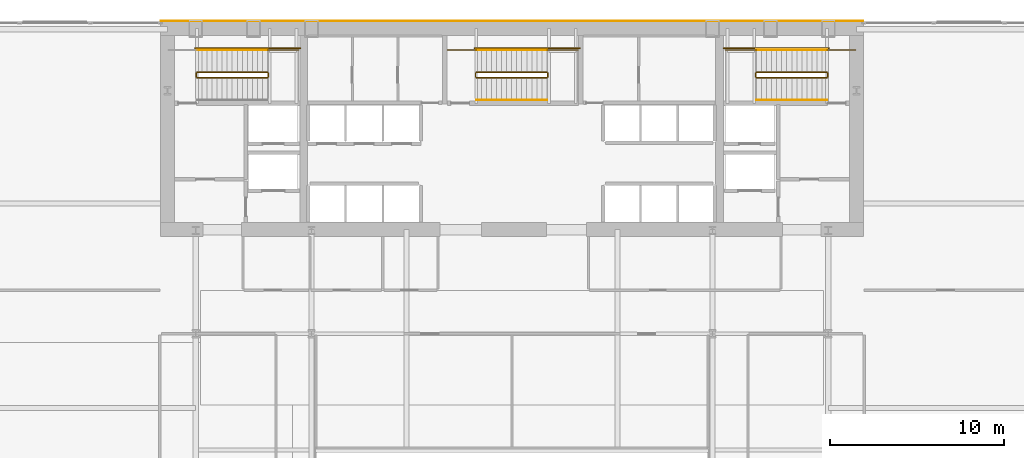
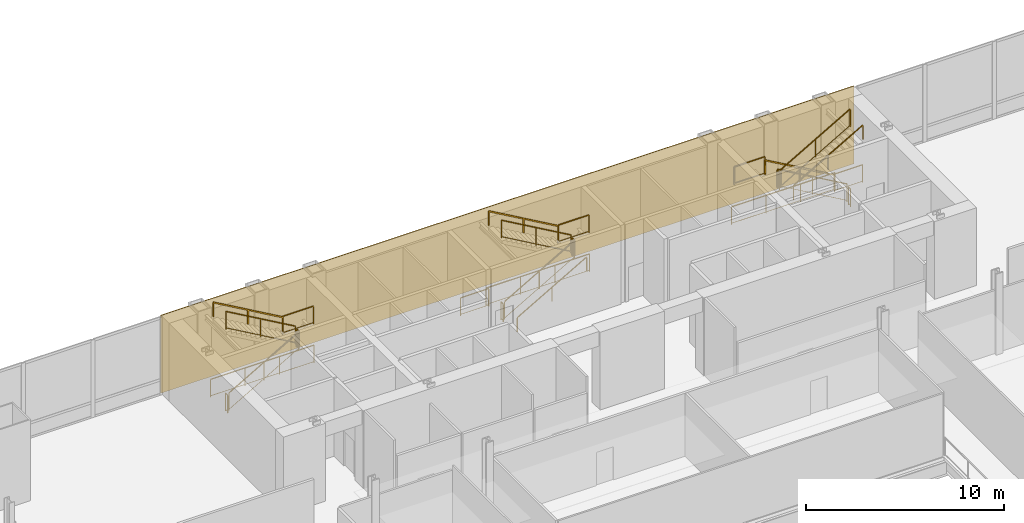
# One storey, part 24 of 25: 25 railings, 1 covering.
"""IFC4 building model written with IfcOpenShell, lengths in metres."""

from ifc_helpers import new_model, si_unit, direction, frame, origin, origin_2d, place, context, subcontext, project, spatial, polyline, rectangle, outline, extrude, material, layer, layer_set, type_object, element, save


model = new_model("IFC4")

# Units and contexts
model_context = context("Model", 3, precision=1e-05, world=origin(), true_north=direction((0.0, 1.0)))
body_context = subcontext(model_context, "Body", "Model", "MODEL_VIEW")
ifc_project = project(units=[si_unit("LENGTHUNIT", "METRE"), si_unit("AREAUNIT", "SQUARE_METRE"), si_unit("VOLUMEUNIT", "CUBIC_METRE"), si_unit("PLANEANGLEUNIT", "RADIAN"), si_unit("MASSUNIT", "GRAM", prefix="KILO")], contexts=[model_context])

# Site, building, storey
site_placement = place(None, origin())
site = spatial("IfcSite", under=ifc_project, at=site_placement, CompositionType="ELEMENT")
building_placement = place(site_placement, origin())
building = spatial("IfcBuilding", under=site, at=building_placement, Name="Khoronbel Lancet Exchange", CompositionType="ELEMENT")
storey_placement = place(building_placement, frame((0.0, 0.0, 10.39990234375)))
storey = spatial("IfcBuildingStorey", under=building, at=storey_placement, Name="L02", CompositionType="ELEMENT", Elevation=10.39990234375)

# Covering
ifc_material_1 = material(Name="Honed Egyptian Limestone & Bronze Rainscreen", Category="masonry")
ifc_layer = layer(ifc_material_1, 0.050048828125, Name="Honed Egyptian Limestone & Bronze Rainscreen")
ifc_layer_set = layer_set([ifc_layer], Name="Honed Egyptian Limestone & Bronze Rainscreen")
covering_type = type_object("IfcCoveringType", Name="COV-CLAD1", PredefinedType="CLADDING", material=ifc_layer_set)
covering_placement = place(storey_placement, origin())
element("IfcCovering", 1, at=covering_placement, inside=storey, type_object=covering_type, Name="Level L02 north rear-core stone and bronze rainscreen cladding", PredefinedType="CLADDING", context=body_context, shape_type="SweptSolid", body=[
    extrude(outline(polyline([(16.199951171875, 53.699951171875), (56.699951171875, 53.699951171875), (56.699951171875, 53.75), (16.199951171875, 53.75), (16.199951171875, 53.699951171875)])), origin(), (0.0, 0.0, 1.0), 4.800048828125),
])

# Railings
ifc_material_2 = material(Name="Painted Steel Balustrade", Category="steel")
railing_type_1 = type_object("IfcRailingType", Name="RL-STG110", PredefinedType="GUARDRAIL", material=ifc_material_2)
railing_1_placement = place(storey_placement, frame((18.300048828125, 50.449951171875, 0.166748046875)))
element("IfcRailing", 2, at=railing_1_placement, inside=storey, type_object=railing_type_1, Name="L02 ST1 stair guard 1", PredefinedType="GUARDRAIL", context=body_context, shape_type="SweptSolid", body=[
    extrude(rectangle(XDim=0.048095703125, YDim=0.048095703125, at=origin_2d()), frame((0.0, 0.0, 1.09619140625), z_axis=(0.867024558463, 0.0, 0.498265406207), x_axis=(0.0, 1.0, 0.0)), (0.0, 0.0, 1.0), 4.682861328125),
    extrude(rectangle(XDim=0.02392578125, YDim=0.02392578125, at=origin_2d()), frame((0.0, 0.0, 0.080078125), z_axis=(0.867024558463, 0.0, 0.498265406207), x_axis=(0.0, 1.0, 0.0)), (0.0, 0.0, 1.0), 4.682861328125),
    extrude(rectangle(XDim=0.0419921875, YDim=0.0419921875, at=origin_2d()), origin(), (0.0, 0.0, 1.0), 1.072021484375),
    extrude(rectangle(XDim=0.0419921875, YDim=0.0419921875, at=origin_2d()), frame((2.030029296875, 0.0, 1.16650390625)), (0.0, 0.0, 1.0), 1.072021484375),
    extrude(rectangle(XDim=0.0419921875, YDim=0.0419921875, at=origin_2d()), frame((4.06005859375, 0.0, 2.333251953125)), (0.0, 0.0, 1.0), 1.072021484375),
])
railing_2_placement = place(storey_placement, frame((22.409912109375, 50.5, 2.5)))
element("IfcRailing", 3, at=railing_2_placement, inside=storey, type_object=railing_type_1, Name="L02 ST1 stair guard 2", PredefinedType="GUARDRAIL", context=body_context, shape_type="SweptSolid", body=[
    extrude(rectangle(XDim=0.048095703125, YDim=0.048095703125, at=origin_2d()), frame((0.0, 0.0, 1.09619140625), z_axis=(0.0, 1.0, 0.0), x_axis=(-1.0, 0.0, 0.0)), (0.0, 0.0, 1.0), 0.219970703125),
    extrude(rectangle(XDim=0.02392578125, YDim=0.02392578125, at=origin_2d()), frame((0.0, 0.0, 0.080078125), z_axis=(0.0, 1.0, 0.0), x_axis=(-1.0, 0.0, 0.0)), (0.0, 0.0, 1.0), 0.219970703125),
    extrude(rectangle(XDim=0.0419921875, YDim=0.0419921875, at=origin_2d()), origin(), (0.0, 0.0, 1.0), 1.072021484375),
    extrude(rectangle(XDim=0.0419921875, YDim=0.0419921875, at=origin_2d()), frame((0.0, 0.219970703125, 0.0)), (0.0, 0.0, 1.0), 1.072021484375),
])
railing_3_placement = place(storey_placement, frame((22.360107421875, 52.050048828125, 2.5)))
element("IfcRailing", 4, at=railing_3_placement, inside=storey, type_object=railing_type_1, Name="L02 ST1 stair guard 3", PredefinedType="GUARDRAIL", context=body_context, shape_type="SweptSolid", body=[
    extrude(rectangle(XDim=0.048095703125, YDim=0.048095703125, at=origin_2d()), frame((0.0, 0.0, 1.09619140625), z_axis=(1.0, 0.0, 0.0), x_axis=(0.0, 1.0, 0.0)), (0.0, 0.0, 1.0), 1.789794921875),
    extrude(rectangle(XDim=0.02392578125, YDim=0.02392578125, at=origin_2d()), frame((0.0, 0.0, 0.080078125), z_axis=(1.0, 0.0, 0.0), x_axis=(0.0, 1.0, 0.0)), (0.0, 0.0, 1.0), 1.789794921875),
    extrude(rectangle(XDim=0.0419921875, YDim=0.0419921875, at=origin_2d()), origin(), (0.0, 0.0, 1.0), 1.072021484375),
    extrude(rectangle(XDim=0.0419921875, YDim=0.0419921875, at=origin_2d()), frame((1.789794921875, 0.0, 0.0)), (0.0, 0.0, 1.0), 1.072021484375),
])
railing_4_placement = place(storey_placement, frame((22.360107421875, 50.77001953125, 2.666748046875)))
element("IfcRailing", 5, at=railing_4_placement, inside=storey, type_object=railing_type_1, Name="L02 ST1 stair guard 4", PredefinedType="GUARDRAIL", context=body_context, shape_type="SweptSolid", body=[
    extrude(rectangle(XDim=0.048095703125, YDim=0.048095703125, at=origin_2d()), frame((0.0, 0.0, 1.09619140625), z_axis=(-0.867024558463, 0.0, 0.498265406207), x_axis=(0.0, -1.0, 0.0)), (0.0, 0.0, 1.0), 4.682861328125),
    extrude(rectangle(XDim=0.02392578125, YDim=0.02392578125, at=origin_2d()), frame((0.0, 0.0, 0.080078125), z_axis=(-0.867024558463, 0.0, 0.498265406207), x_axis=(0.0, -1.0, 0.0)), (0.0, 0.0, 1.0), 4.682861328125),
    extrude(rectangle(XDim=0.0419921875, YDim=0.0419921875, at=origin_2d()), origin(), (0.0, 0.0, 1.0), 1.072021484375),
    extrude(rectangle(XDim=0.0419921875, YDim=0.0419921875, at=origin_2d()), frame((-2.030029296875, 0.0, 1.16650390625)), (0.0, 0.0, 1.0), 1.072021484375),
    extrude(rectangle(XDim=0.0419921875, YDim=0.0419921875, at=origin_2d()), frame((-4.06005859375, 0.0, 2.333251953125)), (0.0, 0.0, 1.0), 1.072021484375),
])
railing_5_placement = place(storey_placement, frame((18.25, 50.5, 0.0)))
element("IfcRailing", 6, at=railing_5_placement, inside=storey, type_object=railing_type_1, Name="L02 ST1 stair guard 5", PredefinedType="GUARDRAIL", context=body_context, shape_type="SweptSolid", body=[
    extrude(rectangle(XDim=0.048095703125, YDim=0.048095703125, at=origin_2d()), frame((0.0, 0.0, 1.09619140625), z_axis=(0.0, 1.0, 0.0), x_axis=(-1.0, 0.0, 0.0)), (0.0, 0.0, 1.0), 0.219970703125),
    extrude(rectangle(XDim=0.02392578125, YDim=0.02392578125, at=origin_2d()), frame((0.0, 0.0, 0.080078125), z_axis=(0.0, 1.0, 0.0), x_axis=(-1.0, 0.0, 0.0)), (0.0, 0.0, 1.0), 0.219970703125),
    extrude(rectangle(XDim=0.0419921875, YDim=0.0419921875, at=origin_2d()), origin(), (0.0, 0.0, 1.0), 1.072021484375),
    extrude(rectangle(XDim=0.0419921875, YDim=0.0419921875, at=origin_2d()), frame((0.0, 0.219970703125, 0.0)), (0.0, 0.0, 1.0), 1.072021484375),
])
railing_6_placement = place(storey_placement, frame((18.199951171875, 52.14990234375, 0.0)))
element("IfcRailing", 7, at=railing_6_placement, inside=storey, type_object=railing_type_1, Name="L02 ST1 stair guard 7", PredefinedType="GUARDRAIL", context=body_context, shape_type="SweptSolid", body=[
    extrude(rectangle(XDim=0.048095703125, YDim=0.048095703125, at=origin_2d()), frame((0.0, 0.0, 1.09619140625), z_axis=(1.0, 0.0, 0.0), x_axis=(0.0, 1.0, 0.0)), (0.0, 0.0, 1.0), 6.050048828125),
    extrude(rectangle(XDim=0.02392578125, YDim=0.02392578125, at=origin_2d()), frame((0.0, 0.0, 0.080078125), z_axis=(1.0, 0.0, 0.0), x_axis=(0.0, 1.0, 0.0)), (0.0, 0.0, 1.0), 6.050048828125),
    extrude(rectangle(XDim=0.0419921875, YDim=0.0419921875, at=origin_2d()), origin(), (0.0, 0.0, 1.0), 1.072021484375),
    extrude(rectangle(XDim=0.0419921875, YDim=0.0419921875, at=origin_2d()), frame((2.0166015625, 0.0, 0.0)), (0.0, 0.0, 1.0), 1.072021484375),
    extrude(rectangle(XDim=0.0419921875, YDim=0.0419921875, at=origin_2d()), frame((4.033447265625, 0.0, 0.0)), (0.0, 0.0, 1.0), 1.072021484375),
    extrude(rectangle(XDim=0.0419921875, YDim=0.0419921875, at=origin_2d()), frame((6.050048828125, 0.0, 0.0)), (0.0, 0.0, 1.0), 1.072021484375),
])
railing_7_placement = place(storey_placement, frame((54.60009765625, 50.77001953125, 0.166748046875)))
element("IfcRailing", 8, at=railing_7_placement, inside=storey, type_object=railing_type_1, Name="L02 ST2 stair guard 1", PredefinedType="GUARDRAIL", context=body_context, shape_type="SweptSolid", body=[
    extrude(rectangle(XDim=0.048095703125, YDim=0.048095703125, at=origin_2d()), frame((0.0, 0.0, 1.09619140625), z_axis=(-0.867024558463, 0.0, 0.498265406207), x_axis=(0.0, -1.0, 0.0)), (0.0, 0.0, 1.0), 4.682861328125),
    extrude(rectangle(XDim=0.02392578125, YDim=0.02392578125, at=origin_2d()), frame((0.0, 0.0, 0.080078125), z_axis=(-0.867024558463, 0.0, 0.498265406207), x_axis=(0.0, -1.0, 0.0)), (0.0, 0.0, 1.0), 4.682861328125),
    extrude(rectangle(XDim=0.0419921875, YDim=0.0419921875, at=origin_2d()), origin(), (0.0, 0.0, 1.0), 1.072021484375),
    extrude(rectangle(XDim=0.0419921875, YDim=0.0419921875, at=origin_2d()), frame((-2.030029296875, 0.0, 1.16650390625)), (0.0, 0.0, 1.0), 1.072021484375),
    extrude(rectangle(XDim=0.0419921875, YDim=0.0419921875, at=origin_2d()), frame((-4.06005859375, 0.0, 2.333251953125)), (0.0, 0.0, 1.0), 1.072021484375),
])
railing_8_placement = place(storey_placement, frame((50.489990234375, 50.719970703125, 2.5)))
element("IfcRailing", 9, at=railing_8_placement, inside=storey, type_object=railing_type_1, Name="L02 ST2 stair guard 2", PredefinedType="GUARDRAIL", context=body_context, shape_type="SweptSolid", body=[
    extrude(rectangle(XDim=0.048095703125, YDim=0.048095703125, at=origin_2d()), frame((0.0, 0.0, 1.09619140625), z_axis=(0.0, -1.0, 0.0), x_axis=(1.0, 0.0, 0.0)), (0.0, 0.0, 1.0), 0.219970703125),
    extrude(rectangle(XDim=0.02392578125, YDim=0.02392578125, at=origin_2d()), frame((0.0, 0.0, 0.080078125), z_axis=(0.0, -1.0, 0.0), x_axis=(1.0, 0.0, 0.0)), (0.0, 0.0, 1.0), 0.219970703125),
    extrude(rectangle(XDim=0.0419921875, YDim=0.0419921875, at=origin_2d()), origin(), (0.0, 0.0, 1.0), 1.072021484375),
    extrude(rectangle(XDim=0.0419921875, YDim=0.0419921875, at=origin_2d()), frame((0.0, -0.219970703125, 0.0)), (0.0, 0.0, 1.0), 1.072021484375),
])
railing_9_placement = place(storey_placement, frame((50.5400390625, 52.050048828125, 2.5)))
element("IfcRailing", 10, at=railing_9_placement, inside=storey, type_object=railing_type_1, Name="L02 ST2 stair guard 3", PredefinedType="GUARDRAIL", context=body_context, shape_type="SweptSolid", body=[
    extrude(rectangle(XDim=0.048095703125, YDim=0.048095703125, at=origin_2d()), frame((0.0, 0.0, 1.09619140625), z_axis=(-1.0, 0.0, 0.0), x_axis=(0.0, -1.0, 0.0)), (0.0, 0.0, 1.0), 1.7900390625),
    extrude(rectangle(XDim=0.02392578125, YDim=0.02392578125, at=origin_2d()), frame((0.0, 0.0, 0.080078125), z_axis=(-1.0, 0.0, 0.0), x_axis=(0.0, -1.0, 0.0)), (0.0, 0.0, 1.0), 1.7900390625),
    extrude(rectangle(XDim=0.0419921875, YDim=0.0419921875, at=origin_2d()), origin(), (0.0, 0.0, 1.0), 1.072021484375),
    extrude(rectangle(XDim=0.0419921875, YDim=0.0419921875, at=origin_2d()), frame((-1.7900390625, 0.0, 0.0)), (0.0, 0.0, 1.0), 1.072021484375),
])
railing_10_placement = place(storey_placement, frame((50.5400390625, 50.449951171875, 2.666748046875)))
element("IfcRailing", 11, at=railing_10_placement, inside=storey, type_object=railing_type_1, Name="L02 ST2 stair guard 4", PredefinedType="GUARDRAIL", context=body_context, shape_type="SweptSolid", body=[
    extrude(rectangle(XDim=0.048095703125, YDim=0.048095703125, at=origin_2d()), frame((0.0, 0.0, 1.09619140625), z_axis=(0.867024558463, 0.0, 0.498265406207), x_axis=(0.0, 1.0, 0.0)), (0.0, 0.0, 1.0), 4.682861328125),
    extrude(rectangle(XDim=0.02392578125, YDim=0.02392578125, at=origin_2d()), frame((0.0, 0.0, 0.080078125), z_axis=(0.867024558463, 0.0, 0.498265406207), x_axis=(0.0, 1.0, 0.0)), (0.0, 0.0, 1.0), 4.682861328125),
    extrude(rectangle(XDim=0.0419921875, YDim=0.0419921875, at=origin_2d()), origin(), (0.0, 0.0, 1.0), 1.072021484375),
    extrude(rectangle(XDim=0.0419921875, YDim=0.0419921875, at=origin_2d()), frame((2.030029296875, 0.0, 1.16650390625)), (0.0, 0.0, 1.0), 1.072021484375),
    extrude(rectangle(XDim=0.0419921875, YDim=0.0419921875, at=origin_2d()), frame((4.06005859375, 0.0, 2.333251953125)), (0.0, 0.0, 1.0), 1.072021484375),
])
railing_11_placement = place(storey_placement, frame((54.64990234375, 50.719970703125, 0.0)))
element("IfcRailing", 12, at=railing_11_placement, inside=storey, type_object=railing_type_1, Name="L02 ST2 stair guard 5", PredefinedType="GUARDRAIL", context=body_context, shape_type="SweptSolid", body=[
    extrude(rectangle(XDim=0.048095703125, YDim=0.048095703125, at=origin_2d()), frame((0.0, 0.0, 1.09619140625), z_axis=(0.0, -1.0, 0.0), x_axis=(1.0, 0.0, 0.0)), (0.0, 0.0, 1.0), 0.219970703125),
    extrude(rectangle(XDim=0.02392578125, YDim=0.02392578125, at=origin_2d()), frame((0.0, 0.0, 0.080078125), z_axis=(0.0, -1.0, 0.0), x_axis=(1.0, 0.0, 0.0)), (0.0, 0.0, 1.0), 0.219970703125),
    extrude(rectangle(XDim=0.0419921875, YDim=0.0419921875, at=origin_2d()), origin(), (0.0, 0.0, 1.0), 1.072021484375),
    extrude(rectangle(XDim=0.0419921875, YDim=0.0419921875, at=origin_2d()), frame((0.0, -0.219970703125, 0.0)), (0.0, 0.0, 1.0), 1.072021484375),
])
railing_12_placement = place(storey_placement, frame((56.25, 52.050048828125, 0.0)))
element("IfcRailing", 13, at=railing_12_placement, inside=storey, type_object=railing_type_1, Name="L02 ST2 stair guard 6", PredefinedType="GUARDRAIL", context=body_context, shape_type="SweptSolid", body=[
    extrude(rectangle(XDim=0.048095703125, YDim=0.048095703125, at=origin_2d()), frame((0.0, 0.0, 1.09619140625), z_axis=(-1.0, 0.0, 0.0), x_axis=(0.0, -1.0, 0.0)), (0.0, 0.0, 1.0), 1.64990234375),
    extrude(rectangle(XDim=0.02392578125, YDim=0.02392578125, at=origin_2d()), frame((0.0, 0.0, 0.080078125), z_axis=(-1.0, 0.0, 0.0), x_axis=(0.0, -1.0, 0.0)), (0.0, 0.0, 1.0), 1.64990234375),
    extrude(rectangle(XDim=0.0419921875, YDim=0.0419921875, at=origin_2d()), origin(), (0.0, 0.0, 1.0), 1.072021484375),
    extrude(rectangle(XDim=0.0419921875, YDim=0.0419921875, at=origin_2d()), frame((-1.64990234375, 0.0, 0.0)), (0.0, 0.0, 1.0), 1.072021484375),
])
railing_13_placement = place(storey_placement, frame((54.699951171875, 52.14990234375, 0.0)))
element("IfcRailing", 14, at=railing_13_placement, inside=storey, type_object=railing_type_1, Name="L02 ST2 stair guard 7", PredefinedType="GUARDRAIL", context=body_context, shape_type="SweptSolid", body=[
    extrude(rectangle(XDim=0.048095703125, YDim=0.048095703125, at=origin_2d()), frame((0.0, 0.0, 1.09619140625), z_axis=(-1.0, 0.0, 0.0), x_axis=(0.0, -1.0, 0.0)), (0.0, 0.0, 1.0), 6.050048828125),
    extrude(rectangle(XDim=0.02392578125, YDim=0.02392578125, at=origin_2d()), frame((0.0, 0.0, 0.080078125), z_axis=(-1.0, 0.0, 0.0), x_axis=(0.0, -1.0, 0.0)), (0.0, 0.0, 1.0), 6.050048828125),
    extrude(rectangle(XDim=0.0419921875, YDim=0.0419921875, at=origin_2d()), origin(), (0.0, 0.0, 1.0), 1.072021484375),
    extrude(rectangle(XDim=0.0419921875, YDim=0.0419921875, at=origin_2d()), frame((-2.0166015625, 0.0, 0.0)), (0.0, 0.0, 1.0), 1.072021484375),
    extrude(rectangle(XDim=0.0419921875, YDim=0.0419921875, at=origin_2d()), frame((-4.033447265625, 0.0, 0.0)), (0.0, 0.0, 1.0), 1.072021484375),
    extrude(rectangle(XDim=0.0419921875, YDim=0.0419921875, at=origin_2d()), frame((-6.050048828125, 0.0, 0.0)), (0.0, 0.0, 1.0), 1.072021484375),
])
railing_14_placement = place(storey_placement, frame((34.39990234375, 50.449951171875, 0.166748046875)))
element("IfcRailing", 15, at=railing_14_placement, inside=storey, type_object=railing_type_1, Name="L02 ST3 stair guard 1", PredefinedType="GUARDRAIL", context=body_context, shape_type="SweptSolid", body=[
    extrude(rectangle(XDim=0.048095703125, YDim=0.048095703125, at=origin_2d()), frame((0.0, 0.0, 1.09619140625), z_axis=(0.867024558463, 0.0, 0.498265406207), x_axis=(0.0, 1.0, 0.0)), (0.0, 0.0, 1.0), 4.682861328125),
    extrude(rectangle(XDim=0.02392578125, YDim=0.02392578125, at=origin_2d()), frame((0.0, 0.0, 0.080078125), z_axis=(0.867024558463, 0.0, 0.498265406207), x_axis=(0.0, 1.0, 0.0)), (0.0, 0.0, 1.0), 4.682861328125),
    extrude(rectangle(XDim=0.0419921875, YDim=0.0419921875, at=origin_2d()), origin(), (0.0, 0.0, 1.0), 1.072021484375),
    extrude(rectangle(XDim=0.0419921875, YDim=0.0419921875, at=origin_2d()), frame((2.030029296875, 0.0, 1.16650390625)), (0.0, 0.0, 1.0), 1.072021484375),
    extrude(rectangle(XDim=0.0419921875, YDim=0.0419921875, at=origin_2d()), frame((4.06005859375, 0.0, 2.333251953125)), (0.0, 0.0, 1.0), 1.072021484375),
])
railing_15_placement = place(storey_placement, frame((38.510009765625, 50.5, 2.5)))
element("IfcRailing", 16, at=railing_15_placement, inside=storey, type_object=railing_type_1, Name="L02 ST3 stair guard 2", PredefinedType="GUARDRAIL", context=body_context, shape_type="SweptSolid", body=[
    extrude(rectangle(XDim=0.048095703125, YDim=0.048095703125, at=origin_2d()), frame((0.0, 0.0, 1.09619140625), z_axis=(0.0, 1.0, 0.0), x_axis=(-1.0, 0.0, 0.0)), (0.0, 0.0, 1.0), 0.219970703125),
    extrude(rectangle(XDim=0.02392578125, YDim=0.02392578125, at=origin_2d()), frame((0.0, 0.0, 0.080078125), z_axis=(0.0, 1.0, 0.0), x_axis=(-1.0, 0.0, 0.0)), (0.0, 0.0, 1.0), 0.219970703125),
    extrude(rectangle(XDim=0.0419921875, YDim=0.0419921875, at=origin_2d()), origin(), (0.0, 0.0, 1.0), 1.072021484375),
    extrude(rectangle(XDim=0.0419921875, YDim=0.0419921875, at=origin_2d()), frame((0.0, 0.219970703125, 0.0)), (0.0, 0.0, 1.0), 1.072021484375),
])
railing_16_placement = place(storey_placement, frame((38.4599609375, 52.050048828125, 2.5)))
element("IfcRailing", 17, at=railing_16_placement, inside=storey, type_object=railing_type_1, Name="L02 ST3 stair guard 3", PredefinedType="GUARDRAIL", context=body_context, shape_type="SweptSolid", body=[
    extrude(rectangle(XDim=0.048095703125, YDim=0.048095703125, at=origin_2d()), frame((0.0, 0.0, 1.09619140625), z_axis=(1.0, 0.0, 0.0), x_axis=(0.0, 1.0, 0.0)), (0.0, 0.0, 1.0), 1.7900390625),
    extrude(rectangle(XDim=0.02392578125, YDim=0.02392578125, at=origin_2d()), frame((0.0, 0.0, 0.080078125), z_axis=(1.0, 0.0, 0.0), x_axis=(0.0, 1.0, 0.0)), (0.0, 0.0, 1.0), 1.7900390625),
    extrude(rectangle(XDim=0.0419921875, YDim=0.0419921875, at=origin_2d()), origin(), (0.0, 0.0, 1.0), 1.072021484375),
    extrude(rectangle(XDim=0.0419921875, YDim=0.0419921875, at=origin_2d()), frame((1.7900390625, 0.0, 0.0)), (0.0, 0.0, 1.0), 1.072021484375),
])
railing_17_placement = place(storey_placement, frame((38.4599609375, 50.77001953125, 2.666748046875)))
element("IfcRailing", 18, at=railing_17_placement, inside=storey, type_object=railing_type_1, Name="L02 ST3 stair guard 4", PredefinedType="GUARDRAIL", context=body_context, shape_type="SweptSolid", body=[
    extrude(rectangle(XDim=0.048095703125, YDim=0.048095703125, at=origin_2d()), frame((0.0, 0.0, 1.09619140625), z_axis=(-0.867024558463, 0.0, 0.498265406207), x_axis=(0.0, -1.0, 0.0)), (0.0, 0.0, 1.0), 4.682861328125),
    extrude(rectangle(XDim=0.02392578125, YDim=0.02392578125, at=origin_2d()), frame((0.0, 0.0, 0.080078125), z_axis=(-0.867024558463, 0.0, 0.498265406207), x_axis=(0.0, -1.0, 0.0)), (0.0, 0.0, 1.0), 4.682861328125),
    extrude(rectangle(XDim=0.0419921875, YDim=0.0419921875, at=origin_2d()), origin(), (0.0, 0.0, 1.0), 1.072021484375),
    extrude(rectangle(XDim=0.0419921875, YDim=0.0419921875, at=origin_2d()), frame((-2.030029296875, 0.0, 1.16650390625)), (0.0, 0.0, 1.0), 1.072021484375),
    extrude(rectangle(XDim=0.0419921875, YDim=0.0419921875, at=origin_2d()), frame((-4.06005859375, 0.0, 2.333251953125)), (0.0, 0.0, 1.0), 1.072021484375),
])
railing_18_placement = place(storey_placement, frame((34.35009765625, 50.5, 0.0)))
element("IfcRailing", 19, at=railing_18_placement, inside=storey, type_object=railing_type_1, Name="L02 ST3 stair guard 5", PredefinedType="GUARDRAIL", context=body_context, shape_type="SweptSolid", body=[
    extrude(rectangle(XDim=0.048095703125, YDim=0.048095703125, at=origin_2d()), frame((0.0, 0.0, 1.09619140625), z_axis=(0.0, 1.0, 0.0), x_axis=(-1.0, 0.0, 0.0)), (0.0, 0.0, 1.0), 0.219970703125),
    extrude(rectangle(XDim=0.02392578125, YDim=0.02392578125, at=origin_2d()), frame((0.0, 0.0, 0.080078125), z_axis=(0.0, 1.0, 0.0), x_axis=(-1.0, 0.0, 0.0)), (0.0, 0.0, 1.0), 0.219970703125),
    extrude(rectangle(XDim=0.0419921875, YDim=0.0419921875, at=origin_2d()), origin(), (0.0, 0.0, 1.0), 1.072021484375),
    extrude(rectangle(XDim=0.0419921875, YDim=0.0419921875, at=origin_2d()), frame((0.0, 0.219970703125, 0.0)), (0.0, 0.0, 1.0), 1.072021484375),
])
railing_19_placement = place(storey_placement, frame((32.75, 52.050048828125, 0.0)))
element("IfcRailing", 20, at=railing_19_placement, inside=storey, type_object=railing_type_1, Name="L02 ST3 stair guard 6", PredefinedType="GUARDRAIL", context=body_context, shape_type="SweptSolid", body=[
    extrude(rectangle(XDim=0.048095703125, YDim=0.048095703125, at=origin_2d()), frame((0.0, 0.0, 1.09619140625), z_axis=(1.0, 0.0, 0.0), x_axis=(0.0, 1.0, 0.0)), (0.0, 0.0, 1.0), 1.64990234375),
    extrude(rectangle(XDim=0.02392578125, YDim=0.02392578125, at=origin_2d()), frame((0.0, 0.0, 0.080078125), z_axis=(1.0, 0.0, 0.0), x_axis=(0.0, 1.0, 0.0)), (0.0, 0.0, 1.0), 1.64990234375),
    extrude(rectangle(XDim=0.0419921875, YDim=0.0419921875, at=origin_2d()), origin(), (0.0, 0.0, 1.0), 1.072021484375),
    extrude(rectangle(XDim=0.0419921875, YDim=0.0419921875, at=origin_2d()), frame((1.64990234375, 0.0, 0.0)), (0.0, 0.0, 1.0), 1.072021484375),
])
railing_20_placement = place(storey_placement, frame((34.300048828125, 52.14990234375, 0.0)))
element("IfcRailing", 21, at=railing_20_placement, inside=storey, type_object=railing_type_1, Name="L02 ST3 stair guard 7", PredefinedType="GUARDRAIL", context=body_context, shape_type="SweptSolid", body=[
    extrude(rectangle(XDim=0.048095703125, YDim=0.048095703125, at=origin_2d()), frame((0.0, 0.0, 1.09619140625), z_axis=(1.0, 0.0, 0.0), x_axis=(0.0, 1.0, 0.0)), (0.0, 0.0, 1.0), 6.050048828125),
    extrude(rectangle(XDim=0.02392578125, YDim=0.02392578125, at=origin_2d()), frame((0.0, 0.0, 0.080078125), z_axis=(1.0, 0.0, 0.0), x_axis=(0.0, 1.0, 0.0)), (0.0, 0.0, 1.0), 6.050048828125),
    extrude(rectangle(XDim=0.0419921875, YDim=0.0419921875, at=origin_2d()), origin(), (0.0, 0.0, 1.0), 1.072021484375),
    extrude(rectangle(XDim=0.0419921875, YDim=0.0419921875, at=origin_2d()), frame((2.0166015625, 0.0, 0.0)), (0.0, 0.0, 1.0), 1.072021484375),
    extrude(rectangle(XDim=0.0419921875, YDim=0.0419921875, at=origin_2d()), frame((4.033447265625, 0.0, 0.0)), (0.0, 0.0, 1.0), 1.072021484375),
    extrude(rectangle(XDim=0.0419921875, YDim=0.0419921875, at=origin_2d()), frame((6.050048828125, 0.0, 0.0)), (0.0, 0.0, 1.0), 1.072021484375),
])
ifc_material_3 = material(Name="Brushed Stainless Steel 316", Category="steel")
railing_type_2 = type_object("IfcRailingType", Name="RL-STH92", PredefinedType="HANDRAIL", material=ifc_material_3)
for number, where, name in (
    (22, (22.360107421875, 52.050048828125, 2.666748046875), "L02 ST1 stair handrail 2"),
    (23, (54.60009765625, 52.050048828125, 0.166748046875), "L02 ST2 stair handrail 1"),
):
    element("IfcRailing", number, at=place(storey_placement, frame(where)), inside=storey, type_object=railing_type_2, Name=name, PredefinedType="HANDRAIL", context=body_context, shape_type="SweptSolid", body=[
        extrude(rectangle(XDim=0.048095703125, YDim=0.048095703125, at=origin_2d()), frame((0.0, 0.0, 0.8759765625), z_axis=(-0.867024558463, 0.0, 0.498265406207), x_axis=(0.0, -1.0, 0.0)), (0.0, 0.0, 1.0), 4.682861328125),
        extrude(rectangle(XDim=0.0419921875, YDim=0.0419921875, at=origin_2d()), origin(), (0.0, 0.0, 1.0), 0.851806640625),
        extrude(rectangle(XDim=0.0419921875, YDim=0.0419921875, at=origin_2d()), frame((-2.030029296875, 0.0, 1.16650390625)), (0.0, 0.0, 1.0), 0.851806640625),
        extrude(rectangle(XDim=0.0419921875, YDim=0.0419921875, at=origin_2d()), frame((-4.06005859375, 0.0, 2.333251953125)), (0.0, 0.0, 1.0), 0.851806640625),
    ])
for number, where, name in (
    (24, (50.5400390625, 49.169921875, 2.666748046875), "L02 ST2 stair handrail 2"),
    (25, (34.39990234375, 49.169921875, 0.166748046875), "L02 ST3 stair handrail 1"),
):
    element("IfcRailing", number, at=place(storey_placement, frame(where)), inside=storey, type_object=railing_type_2, Name=name, PredefinedType="HANDRAIL", context=body_context, shape_type="SweptSolid", body=[
        extrude(rectangle(XDim=0.048095703125, YDim=0.048095703125, at=origin_2d()), frame((0.0, 0.0, 0.8759765625), z_axis=(0.867024558463, 0.0, 0.498265406207), x_axis=(0.0, 1.0, 0.0)), (0.0, 0.0, 1.0), 4.682861328125),
        extrude(rectangle(XDim=0.0419921875, YDim=0.0419921875, at=origin_2d()), origin(), (0.0, 0.0, 1.0), 0.851806640625),
        extrude(rectangle(XDim=0.0419921875, YDim=0.0419921875, at=origin_2d()), frame((2.030029296875, 0.0, 1.16650390625)), (0.0, 0.0, 1.0), 0.851806640625),
        extrude(rectangle(XDim=0.0419921875, YDim=0.0419921875, at=origin_2d()), frame((4.06005859375, 0.0, 2.333251953125)), (0.0, 0.0, 1.0), 0.851806640625),
    ])
railing_21_placement = place(storey_placement, frame((38.4599609375, 52.050048828125, 2.666748046875)))
element("IfcRailing", 26, at=railing_21_placement, inside=storey, type_object=railing_type_2, Name="L02 ST3 stair handrail 2", PredefinedType="HANDRAIL", context=body_context, shape_type="SweptSolid", body=[
    extrude(rectangle(XDim=0.048095703125, YDim=0.048095703125, at=origin_2d()), frame((0.0, 0.0, 0.8759765625), z_axis=(-0.867024558463, 0.0, 0.498265406207), x_axis=(0.0, -1.0, 0.0)), (0.0, 0.0, 1.0), 4.682861328125),
    extrude(rectangle(XDim=0.0419921875, YDim=0.0419921875, at=origin_2d()), origin(), (0.0, 0.0, 1.0), 0.851806640625),
    extrude(rectangle(XDim=0.0419921875, YDim=0.0419921875, at=origin_2d()), frame((-2.030029296875, 0.0, 1.16650390625)), (0.0, 0.0, 1.0), 0.851806640625),
    extrude(rectangle(XDim=0.0419921875, YDim=0.0419921875, at=origin_2d()), frame((-4.06005859375, 0.0, 2.333251953125)), (0.0, 0.0, 1.0), 0.851806640625),
])

save(model, "model.ifc")
